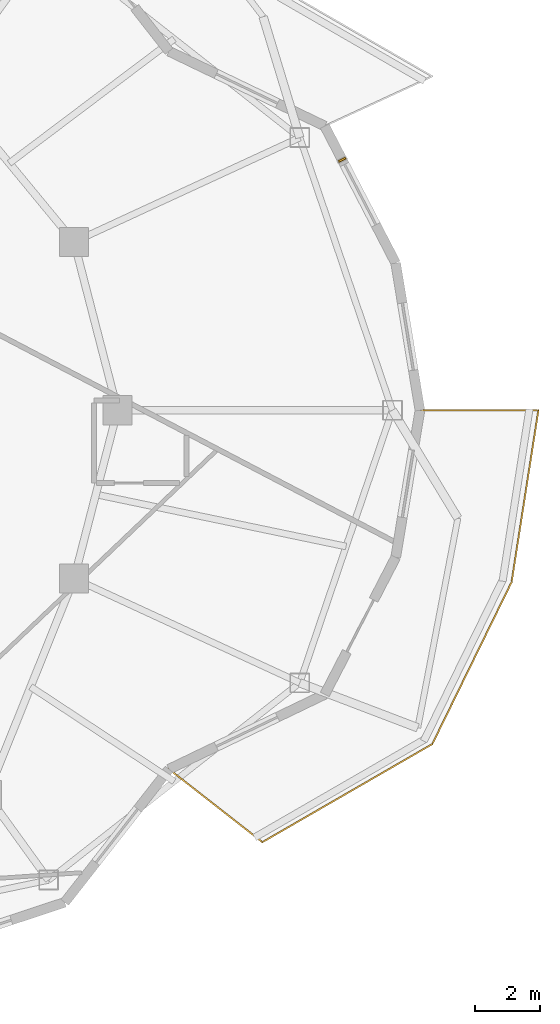
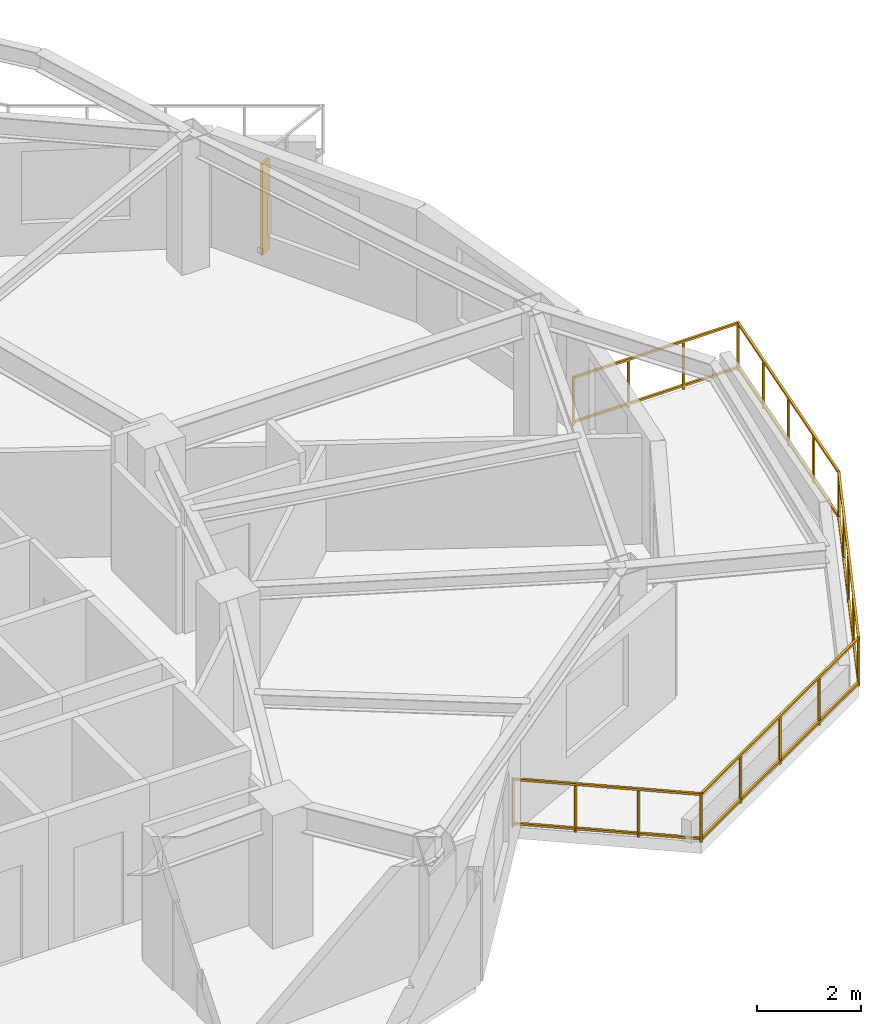
# One storey, part 10 of 11: 1 railing, 1 shading device.
"""IFC4 building model written with IfcOpenShell, lengths in metres."""

from ifc_helpers import new_model, si_unit, direction, frame, origin, origin_2d, place, context, subcontext, project, spatial, rectangle, extrude, material, type_object, element, save


model = new_model("IFC4")

# Units and contexts
model_context = context("Model", 3, precision=1e-05, world=origin(), true_north=direction((0.0, 1.0)))
body_context = subcontext(model_context, "Body", "Model", "MODEL_VIEW")
ifc_project = project(units=[si_unit("LENGTHUNIT", "METRE"), si_unit("AREAUNIT", "SQUARE_METRE"), si_unit("VOLUMEUNIT", "CUBIC_METRE"), si_unit("PLANEANGLEUNIT", "RADIAN"), si_unit("MASSUNIT", "GRAM", prefix="KILO")], contexts=[model_context])

# Site, building, storey
site_placement = place(None, origin())
site = spatial("IfcSite", under=ifc_project, at=site_placement, CompositionType="ELEMENT")
building_placement = place(site_placement, origin())
building = spatial("IfcBuilding", under=site, at=building_placement, Name="Kolvaren Gate Tower and Convention Centre", CompositionType="ELEMENT")
storey_placement = place(building_placement, frame((0.0, 0.0, 159.699951171875)))
storey = spatial("IfcBuildingStorey", under=building, at=storey_placement, Name="L41", CompositionType="ELEMENT", Elevation=159.699951171875)

# Railing
ifc_material_1 = material(Name="Brushed Stainless Steel Grade 316L", Category="steel")
railing_type = type_object("IfcRailingType", Name="ARCH-RL-GUARD-1150", PredefinedType="GUARDRAIL", material=ifc_material_1)
railing_placement = place(storey_placement, frame((44.3134765625, 15.9140625, 0.0)))
element("IfcRailing", 1, at=railing_placement, inside=storey, type_object=railing_type, Name="Tower L41 Terrace Perimeter Guardrail GR-4", PredefinedType="GUARDRAIL", context=body_context, shape_type="SweptSolid", body=[
    extrude(rectangle(XDim=0.048095703125, YDim=0.048095703125, at=origin_2d()), frame((0.022216796875, -0.017333984375, 1.1259765625), z_axis=(0.787988976981, -0.61568934712, 0.0), x_axis=(0.61568934712, 0.787988976981, 0.0)), (0.0, 0.0, 1.0), 3.60400390625),
    extrude(rectangle(XDim=0.048095703125, YDim=0.048095703125, at=origin_2d()), frame((0.022216796875, -0.017333984375, 0.083984375), z_axis=(0.787988976981, -0.61568934712, 0.0), x_axis=(0.61568934712, 0.787988976981, 0.0)), (0.0, 0.0, 1.0), 3.60400390625),
    extrude(rectangle(XDim=0.048095703125, YDim=0.048095703125, at=origin_2d()), frame((2.908203125, -2.239501953125, 1.1259765625), z_axis=(0.866075571306, 0.499913097234, 0.0), x_axis=(-0.499913097234, 0.866075571306, 0.0)), (0.0, 0.0, 1.0), 6.004150390625),
    extrude(rectangle(XDim=0.048095703125, YDim=0.048095703125, at=origin_2d()), frame((2.908203125, -2.239501953125, 0.083984375), z_axis=(0.866075571306, 0.499913097234, 0.0), x_axis=(-0.499913097234, 0.866075571306, 0.0)), (0.0, 0.0, 1.0), 6.004150390625),
    extrude(rectangle(XDim=0.048095703125, YDim=0.048095703125, at=origin_2d()), frame((8.14501953125, 0.80126953125, 1.1259765625), z_axis=(0.439655234701, 0.898166618507, 0.0), x_axis=(-0.898166618507, 0.439655234701, 0.0)), (0.0, 0.0, 1.0), 5.51123046875),
    extrude(rectangle(XDim=0.048095703125, YDim=0.048095703125, at=origin_2d()), frame((8.14501953125, 0.80126953125, 0.083984375), z_axis=(0.439655234701, 0.898166618507, 0.0), x_axis=(-0.898166618507, 0.439655234701, 0.0)), (0.0, 0.0, 1.0), 5.51123046875),
    extrude(rectangle(XDim=0.048095703125, YDim=0.048095703125, at=origin_2d()), frame((10.584716796875, 5.804443359375, 1.1259765625), z_axis=(0.154200861408, 0.988039520637, 0.0), x_axis=(-0.988039520637, 0.154200861408, 0.0)), (0.0, 0.0, 1.0), 5.3173828125),
    extrude(rectangle(XDim=0.048095703125, YDim=0.048095703125, at=origin_2d()), frame((10.584716796875, 5.804443359375, 0.083984375), z_axis=(0.154200861408, 0.988039520637, 0.0), x_axis=(-0.988039520637, 0.154200861408, 0.0)), (0.0, 0.0, 1.0), 5.3173828125),
    extrude(rectangle(XDim=0.048095703125, YDim=0.048095703125, at=origin_2d()), frame((11.380859375, 11.0859375, 1.1259765625), z_axis=(-1.0, 0.0, 0.0), x_axis=(0.0, -1.0, 0.0)), (0.0, 0.0, 1.0), 3.603759765625),
    extrude(rectangle(XDim=0.048095703125, YDim=0.048095703125, at=origin_2d()), frame((11.380859375, 11.0859375, 0.083984375), z_axis=(-1.0, 0.0, 0.0), x_axis=(0.0, -1.0, 0.0)), (0.0, 0.0, 1.0), 3.603759765625),
    extrude(rectangle(XDim=0.0419921875, YDim=0.0419921875, at=origin_2d()), origin(), (0.0, 0.0, 1.0), 1.14990234375),
    extrude(rectangle(XDim=0.0419921875, YDim=0.0419921875, at=origin_2d()), frame((2.884033203125, -2.25341796875, 0.0)), (0.0, 0.0, 1.0), 1.14990234375),
    extrude(rectangle(XDim=0.0419921875, YDim=0.0419921875, at=origin_2d()), frame((0.96142578125, -0.751220703125, 0.0)), (0.0, 0.0, 1.0), 1.099853515625),
    extrude(rectangle(XDim=0.0419921875, YDim=0.0419921875, at=origin_2d()), frame((1.922607421875, -1.502197265625, 0.0)), (0.0, 0.0, 1.0), 1.099853515625),
    extrude(rectangle(XDim=0.0419921875, YDim=0.0419921875, at=origin_2d()), frame((8.132568359375, 0.776123046875, 0.0)), (0.0, 0.0, 1.0), 1.14990234375),
    extrude(rectangle(XDim=0.0419921875, YDim=0.0419921875, at=origin_2d()), frame((4.1962890625, -1.49609375, 0.0)), (0.0, 0.0, 1.0), 1.099853515625),
    extrude(rectangle(XDim=0.0419921875, YDim=0.0419921875, at=origin_2d()), frame((5.50830078125, -0.73876953125, 0.0)), (0.0, 0.0, 1.0), 1.099853515625),
    extrude(rectangle(XDim=0.0419921875, YDim=0.0419921875, at=origin_2d()), frame((6.8203125, 0.018798828125, 0.0)), (0.0, 0.0, 1.0), 1.099853515625),
    extrude(rectangle(XDim=0.0419921875, YDim=0.0419921875, at=origin_2d()), frame((10.580322265625, 5.776611328125, 0.0)), (0.0, 0.0, 1.0), 1.14990234375),
    extrude(rectangle(XDim=0.0419921875, YDim=0.0419921875, at=origin_2d()), frame((8.74462890625, 2.0263671875, 0.0)), (0.0, 0.0, 1.0), 1.099853515625),
    extrude(rectangle(XDim=0.0419921875, YDim=0.0419921875, at=origin_2d()), frame((9.3564453125, 3.2763671875, 0.0)), (0.0, 0.0, 1.0), 1.099853515625),
    extrude(rectangle(XDim=0.0419921875, YDim=0.0419921875, at=origin_2d()), frame((9.96826171875, 4.5263671875, 0.0)), (0.0, 0.0, 1.0), 1.099853515625),
    extrude(rectangle(XDim=0.0419921875, YDim=0.0419921875, at=origin_2d()), frame((11.408935546875, 11.0859375, 0.0)), (0.0, 0.0, 1.0), 1.14990234375),
    extrude(rectangle(XDim=0.0419921875, YDim=0.0419921875, at=origin_2d()), frame((10.78759765625, 7.10400390625, 0.0)), (0.0, 0.0, 1.0), 1.099853515625),
    extrude(rectangle(XDim=0.0419921875, YDim=0.0419921875, at=origin_2d()), frame((10.99462890625, 8.43115234375, 0.0)), (0.0, 0.0, 1.0), 1.099853515625),
    extrude(rectangle(XDim=0.0419921875, YDim=0.0419921875, at=origin_2d()), frame((11.20166015625, 9.758544921875, 0.0)), (0.0, 0.0, 1.0), 1.099853515625),
    extrude(rectangle(XDim=0.0419921875, YDim=0.0419921875, at=origin_2d()), frame((7.7490234375, 11.0859375, 0.0)), (0.0, 0.0, 1.0), 1.14990234375),
    extrude(rectangle(XDim=0.0419921875, YDim=0.0419921875, at=origin_2d()), frame((10.18896484375, 11.0859375, 0.0)), (0.0, 0.0, 1.0), 1.099853515625),
    extrude(rectangle(XDim=0.0419921875, YDim=0.0419921875, at=origin_2d()), frame((8.968994140625, 11.0859375, 0.0)), (0.0, 0.0, 1.0), 1.099853515625),
])

# Shading device
ifc_material_2 = material(Name="Kiln-Fired Bogota Terracotta Ceramic Louvre Profile", Category="masonry")
shading_device_type = type_object("IfcShadingDeviceType", Name="ARCH-SHD-FIN-180", PredefinedType="JALOUSIE", material=ifc_material_2)
shading_device_placement = place(storey_placement, frame((49.66259765625, 34.7333984375, 0.22021484375), z_axis=(0.0, 0.0, 1.0), x_axis=(0.459798409467, -0.888023323259, 0.0)))
element("IfcShadingDevice", 2, at=shading_device_placement, inside=storey, type_object=shading_device_type, Name="Ceramic Vertical Brise-Soleil Fin FN-L41-01", PredefinedType="JALOUSIE", context=body_context, shape_type="SweptSolid", body=[
    extrude(rectangle(XDim=0.06005859375, YDim=0.239990234375, at=origin_2d()), origin(), (0.0, 0.0, 1.0), 2.14990234375),
])

save(model, "model.ifc")
